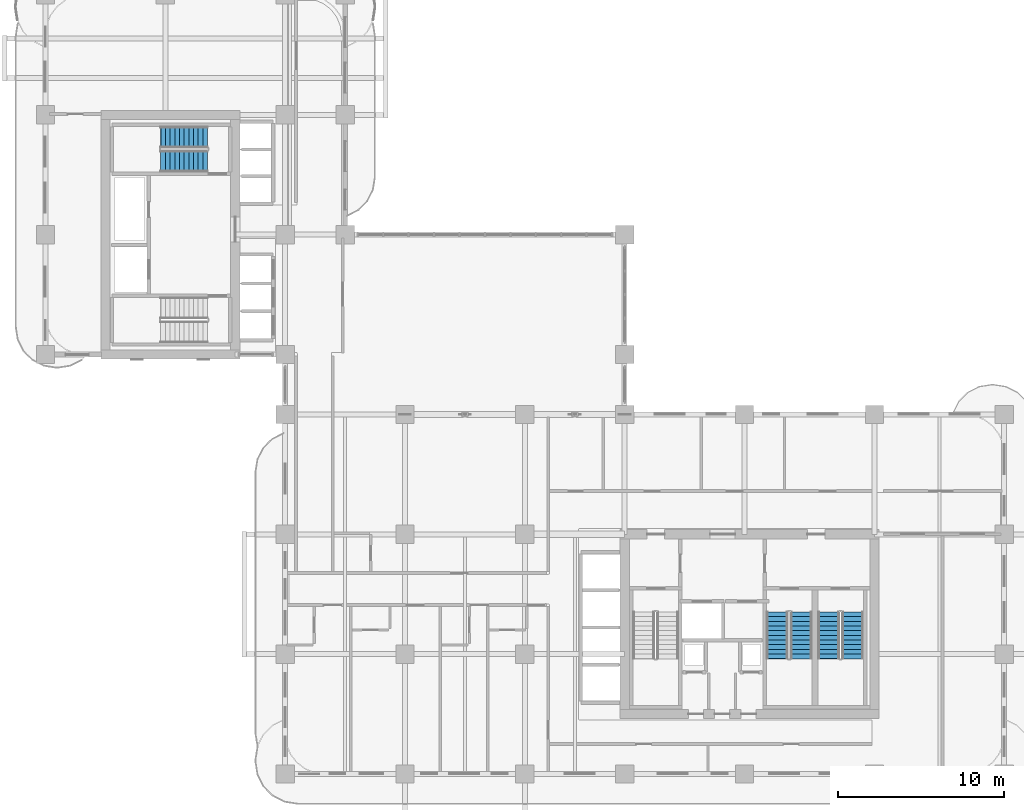
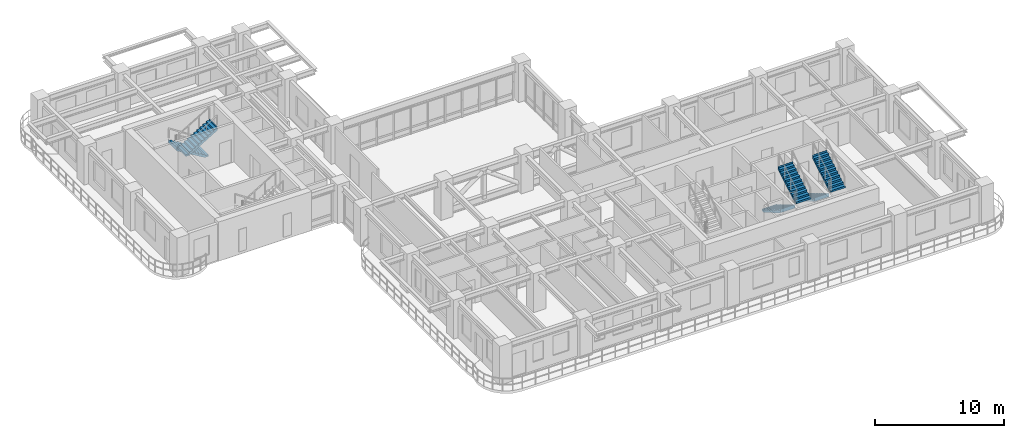
# One storey, part 16 of 21: 6 stair flights, 3 elements without a shape of their own.
"""IFC4 building model written with IfcOpenShell, lengths in metres."""

from ifc_helpers import new_model, si_unit, derived_unit, direction, frame, origin, place, context, subcontext, project, spatial, polyline, outline, extrude, source, transform, mapped, material, layer, layer_set, type_object, element, aggregate, save


model = new_model("IFC4")

# Units and contexts
model_context = context("Model", 3, precision=1e-05, world=origin(), true_north=direction((0.0, 1.0)))
body_context = subcontext(model_context, "Body", "Model", "MODEL_VIEW")
ifc_project = project(units=[si_unit("LENGTHUNIT", "METRE"), si_unit("AREAUNIT", "SQUARE_METRE"), si_unit("VOLUMEUNIT", "CUBIC_METRE"), si_unit("PLANEANGLEUNIT", "RADIAN"), si_unit("MASSUNIT", "GRAM", prefix="KILO"), si_unit("THERMODYNAMICTEMPERATUREUNIT", "KELVIN"), si_unit("POWERUNIT", "WATT"), derived_unit("THERMALTRANSMITTANCEUNIT", [(si_unit("POWERUNIT", "WATT"), 1), (si_unit("AREAUNIT", "SQUARE_METRE"), -1), (si_unit("THERMODYNAMICTEMPERATUREUNIT", "KELVIN"), -1)])], contexts=[model_context])

# Site, building, storey
site_placement = place(None, origin())
site = spatial("IfcSite", under=ifc_project, at=site_placement, CompositionType="ELEMENT")
building_placement = place(site_placement, origin())
building = spatial("IfcBuilding", under=site, at=building_placement, Name="Zahravan Archway Hotel and Residences", CompositionType="ELEMENT")
storey_placement = place(building_placement, frame((0.0, 0.0, 65.699951171875)))
storey = spatial("IfcBuildingStorey", under=building, at=storey_placement, Name="L15", CompositionType="ELEMENT", Elevation=65.699951171875)

# Stair, stair flights
ifc_material = material(Name="Concrete C50/60", Category="concrete")
stair_type = type_object("IfcStairType", Name="STR-CORE-1300", PredefinedType="HALF_TURN_STAIR", material=ifc_material)
stair_1_placement = place(storey_placement, origin())
stair_1 = element("IfcStair", 1, at=stair_1_placement, inside=storey, type_object=stair_type, Name="L15 Core A Exit Stair 2", PredefinedType="HALF_TURN_STAIR")
ifc_layer = layer(ifc_material, 0.199951171875, Name="Concrete C50/60", Category="concrete")
ifc_layer_set = layer_set([ifc_layer], Name="Concrete C50/60")
stair_flight_type = type_object("IfcStairFlightType", Name="SFL-CORE-1300", PredefinedType="STRAIGHT", material=ifc_layer_set)
shared_shape = source(origin(), body_context, "Body", "SweptSolid", [
    extrude(outline(polyline([(-0.01611328125, 0.0), (-0.01611328125, 0.168212890625), (0.280029296875, 0.168212890625), (0.280029296875, 0.33642578125), (0.56005859375, 0.33642578125), (0.56005859375, 0.504638671875), (0.840087890625, 0.504638671875), (0.840087890625, 0.672607421875), (1.1201171875, 0.672607421875), (1.1201171875, 0.8408203125), (1.39990234375, 0.8408203125), (1.39990234375, 1.009033203125), (1.679931640625, 1.009033203125), (1.679931640625, 1.17724609375), (1.9599609375, 1.17724609375), (1.9599609375, 1.345458984375), (2.239990234375, 1.345458984375), (2.239990234375, 1.513671875), (2.52001953125, 1.513671875), (2.52001953125, 1.681884765625), (2.800048828125, 1.681884765625), (2.800048828125, 1.85009765625), (2.816162109375, 1.85009765625), (2.816162109375, 1.5068359375), (0.291015625, 0.0), (-0.01611328125, 0.0)])), frame((0.0, 0.64990234375, 0.0), z_axis=(0.0, -1.0, 0.0), x_axis=(1.0, 0.0, 0.0)), (0.0, 0.0, 1.0), 1.300048828125),
])
stair_flight_1_placement = place(storey_placement, frame((43.969970703125, 9.72998046875, 0.0), z_axis=(0.0, 0.0, 1.0), x_axis=(0.0, -1.0, 0.0)))
stair_flight_1 = element("IfcStairFlight", 2, at=stair_flight_1_placement, type_object=stair_flight_type, Name="ST-A2 flight 1", NumberOfRisers=11, NumberOfTreads=10, PredefinedType="STRAIGHT", RiserHeight=0.168181818, TreadLength=0.28, context=body_context, shape_type="MappedRepresentation", body=[
    mapped(shared_shape, transform((0.0, 0.0, 0.0), scale=1.0)),
])
stair_flight_2_placement = place(storey_placement, frame((45.409912109375, 6.929931640625, 1.85009765625), z_axis=(0.0, 0.0, 1.0), x_axis=(0.0, 1.0, 0.0)))
stair_flight_2 = element("IfcStairFlight", 3, at=stair_flight_2_placement, type_object=stair_flight_type, Name="ST-A2 flight 2", NumberOfRisers=11, NumberOfTreads=10, PredefinedType="STRAIGHT", RiserHeight=0.168181818, TreadLength=0.28, context=body_context, shape_type="MappedRepresentation", body=[
    mapped(shared_shape, transform((0.0, 0.0, 0.0), scale=1.0)),
])
aggregate(stair_1, [stair_flight_1, stair_flight_2])

stair_2_placement = place(storey_placement, origin())
stair_2 = element("IfcStair", 4, at=stair_2_placement, inside=storey, type_object=stair_type, Name="L15 Core A Exit Stair 3", PredefinedType="HALF_TURN_STAIR")
stair_flight_3_placement = place(storey_placement, frame((47.050048828125, 9.72998046875, 0.0), z_axis=(0.0, 0.0, 1.0), x_axis=(0.0, -1.0, 0.0)))
stair_flight_3 = element("IfcStairFlight", 5, at=stair_flight_3_placement, type_object=stair_flight_type, Name="ST-A3 flight 1", NumberOfRisers=11, NumberOfTreads=10, PredefinedType="STRAIGHT", RiserHeight=0.168181818, TreadLength=0.28, context=body_context, shape_type="MappedRepresentation", body=[
    mapped(shared_shape, transform((0.0, 0.0, 0.0), scale=1.0)),
])
stair_flight_4_placement = place(storey_placement, frame((48.489990234375, 6.929931640625, 1.85009765625), z_axis=(0.0, 0.0, 1.0), x_axis=(0.0, 1.0, 0.0)))
stair_flight_4 = element("IfcStairFlight", 6, at=stair_flight_4_placement, type_object=stair_flight_type, Name="ST-A3 flight 2", NumberOfRisers=11, NumberOfTreads=10, PredefinedType="STRAIGHT", RiserHeight=0.168181818, TreadLength=0.28, context=body_context, shape_type="MappedRepresentation", body=[
    mapped(shared_shape, transform((0.0, 0.0, 0.0), scale=1.0)),
])
aggregate(stair_2, [stair_flight_3, stair_flight_4])

stair_3_placement = place(storey_placement, origin())
stair_3 = element("IfcStair", 7, at=stair_3_placement, inside=storey, type_object=stair_type, Name="L15 Core B Exit Stair 2", PredefinedType="HALF_TURN_STAIR")
stair_flight_5_placement = place(storey_placement, frame((9.72998046875, 38.25, 0.0), z_axis=(0.0, 0.0, 1.0), x_axis=(-1.0, 0.0, 0.0)))
stair_flight_5 = element("IfcStairFlight", 8, at=stair_flight_5_placement, type_object=stair_flight_type, Name="ST-B2 flight 1", NumberOfRisers=11, NumberOfTreads=10, PredefinedType="STRAIGHT", RiserHeight=0.168181818, TreadLength=0.28, context=body_context, shape_type="MappedRepresentation", body=[
    mapped(shared_shape, transform((0.0, 0.0, 0.0), scale=1.0)),
])
stair_flight_6_placement = place(storey_placement, frame((6.929931640625, 36.81005859375, 1.85009765625), z_axis=(0.0, 0.0, 1.0), x_axis=(1.0, 0.0, 0.0)))
stair_flight_6 = element("IfcStairFlight", 9, at=stair_flight_6_placement, type_object=stair_flight_type, Name="ST-B2 flight 2", NumberOfRisers=11, NumberOfTreads=10, PredefinedType="STRAIGHT", RiserHeight=0.168181818, TreadLength=0.28, context=body_context, shape_type="MappedRepresentation", body=[
    mapped(shared_shape, transform((0.0, 0.0, 0.0), scale=1.0)),
])
aggregate(stair_3, [stair_flight_5, stair_flight_6])

save(model, "model.ifc")
